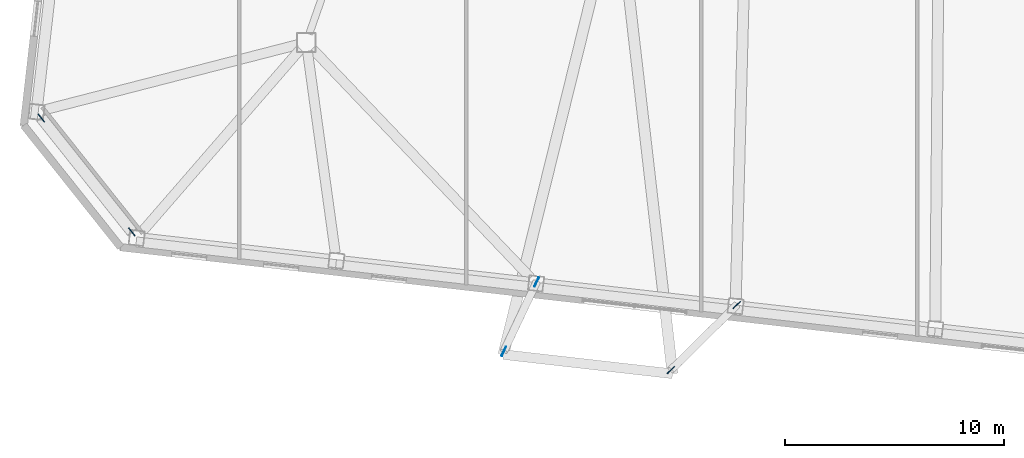
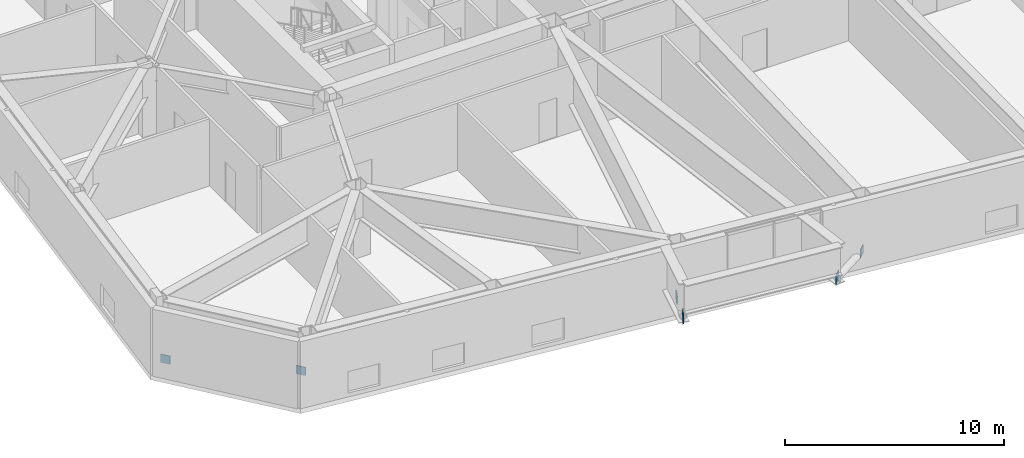
# One storey, part 16 of 21: 6 discrete accessories.
"""IFC4 building model written with IfcOpenShell, lengths in metres."""

from ifc_helpers import new_model, si_unit, direction, frame, origin, origin_2d, place, context, subcontext, project, spatial, rectangle, extrude, material, type_object, element, save


model = new_model("IFC4")

# Units and contexts
model_context = context("Model", 3, precision=1e-05, world=origin(), true_north=direction((0.0, 1.0)))
body_context = subcontext(model_context, "Body", "Model", "MODEL_VIEW")
ifc_project = project(units=[si_unit("LENGTHUNIT", "METRE"), si_unit("AREAUNIT", "SQUARE_METRE"), si_unit("VOLUMEUNIT", "CUBIC_METRE"), si_unit("PLANEANGLEUNIT", "RADIAN"), si_unit("MASSUNIT", "GRAM", prefix="KILO")], contexts=[model_context])

# Site, building, storey
site_placement = place(None, origin())
site = spatial("IfcSite", under=ifc_project, at=site_placement, CompositionType="ELEMENT")
building_placement = place(site_placement, origin())
building = spatial("IfcBuilding", under=site, at=building_placement, Name="Tavrogorsk Clinical Tower", CompositionType="ELEMENT")
storey_placement = place(building_placement, frame((0.0, 0.0, 89.39990234375)))
storey = spatial("IfcBuildingStorey", under=building, at=storey_placement, Name="L19", CompositionType="ELEMENT", Elevation=89.39990234375)

# Discrete accessories
ifc_material = material(Name="Structural steel S440", Category="steel")
discrete_accessory_type = type_object("IfcDiscreteAccessoryType", Name="GussetPlateBracket_25", PredefinedType="BRACKET", material=ifc_material)
for number, where, z_axis, x_axis, name in (
    (1, (-36.601806640625, -16.650146484375, 0.127197265625), (0.0, 0.0, 1.0), (0.622514636638, -0.782608156852, 0.0), "L19 Brace Gusset Plate EXOCRN-L19-4-A"),
    (2, (-32.464111328125, -21.852294921875, 1.202880859375), (0.0, 0.0, 1.0), (0.622514636638, -0.782608156852, 0.0), "L19 Brace Gusset Plate EXOCRN-L19-4-B"),
    (3, (-13.975830078125, -24.139404296875, 0.1904296875), (0.0, 0.0, 1.0), (-0.4278311813, -0.903858661687, 0.0), "L19 Brace Gusset Plate DRB-03-STRUT-L-L20-A"),
):
    element("IfcDiscreteAccessory", number, at=place(storey_placement, frame(where, z_axis=z_axis, x_axis=x_axis)), inside=storey, type_object=discrete_accessory_type, Name=name, PredefinedType="BRACKET", context=body_context, shape_type="SweptSolid", body=[
        extrude(rectangle(XDim=0.4599609375, YDim=0.0400390625, at=origin_2d()), origin(), (0.0, 0.0, 1.0), 0.4599609375),
    ])
discrete_accessory_1_placement = place(storey_placement, frame((-15.476806640625, -27.310546875, 1.539794921875), z_axis=(0.0, 0.0, 1.0), x_axis=(-0.4278311813, -0.903858661687, 0.0)))
element("IfcDiscreteAccessory", 4, at=discrete_accessory_1_placement, inside=storey, type_object=discrete_accessory_type, Name="L19 Brace Gusset Plate DRB-03-STRUT-L-L20-B", PredefinedType="BRACKET", context=body_context, shape_type="SweptSolid", body=[
    extrude(rectangle(XDim=0.4599609375, YDim=0.0400390625, at=origin_2d()), origin(), (0.0, 0.0, 1.0), 0.56005859375),
])
discrete_accessory_2_placement = place(storey_placement, frame((-4.83544921875, -25.192138671875, 0.195068359375), z_axis=(0.0, 0.0, 1.0), x_axis=(-0.711413030818, -0.702774145499, 0.0)))
element("IfcDiscreteAccessory", 5, at=discrete_accessory_2_placement, inside=storey, type_object=discrete_accessory_type, Name="L19 Brace Gusset Plate DRB-03-STRUT-R-L20-A", PredefinedType="BRACKET", context=body_context, shape_type="SweptSolid", body=[
    extrude(rectangle(XDim=0.4599609375, YDim=0.0400390625, at=origin_2d()), origin(), (0.0, 0.0, 1.0), 0.4599609375),
])
discrete_accessory_3_placement = place(storey_placement, frame((-7.8486328125, -28.16845703125, 1.534912109375), z_axis=(0.0, 0.0, 1.0), x_axis=(-0.711413030818, -0.702774145499, 0.0)))
element("IfcDiscreteAccessory", 6, at=discrete_accessory_3_placement, inside=storey, type_object=discrete_accessory_type, Name="L19 Brace Gusset Plate DRB-03-STRUT-R-L20-B", PredefinedType="BRACKET", context=body_context, shape_type="SweptSolid", body=[
    extrude(rectangle(XDim=0.4599609375, YDim=0.0400390625, at=origin_2d()), origin(), (0.0, 0.0, 1.0), 0.56005859375),
])

save(model, "model.ifc")
